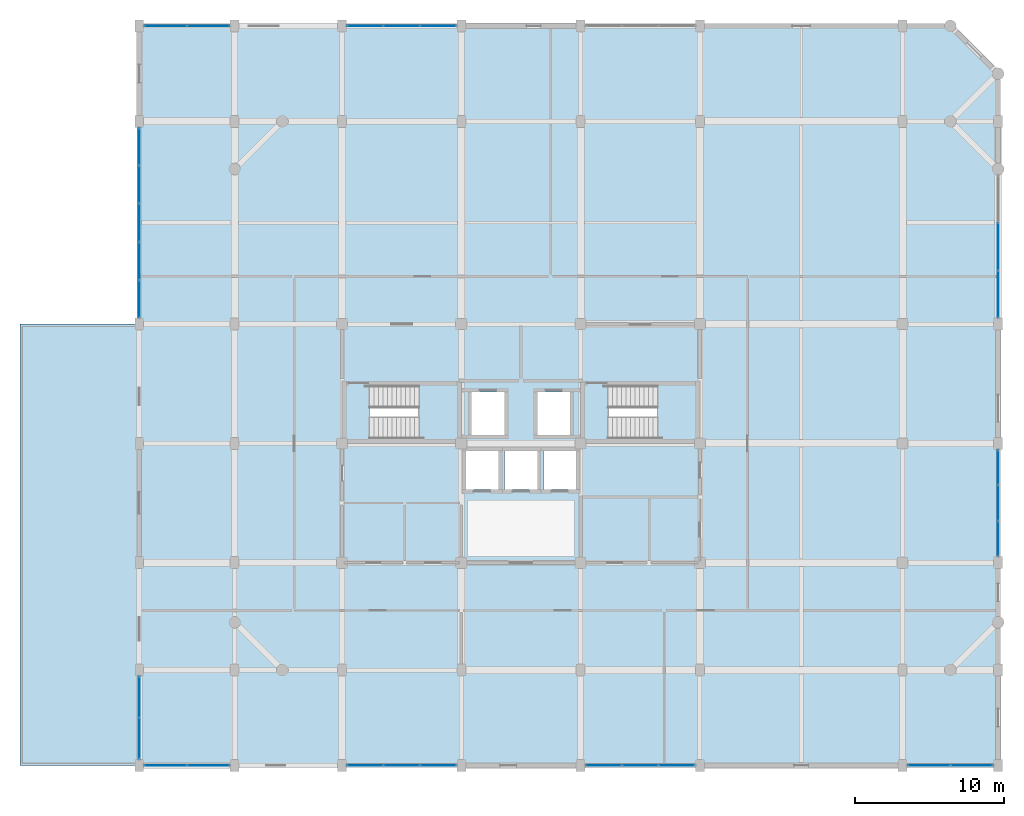
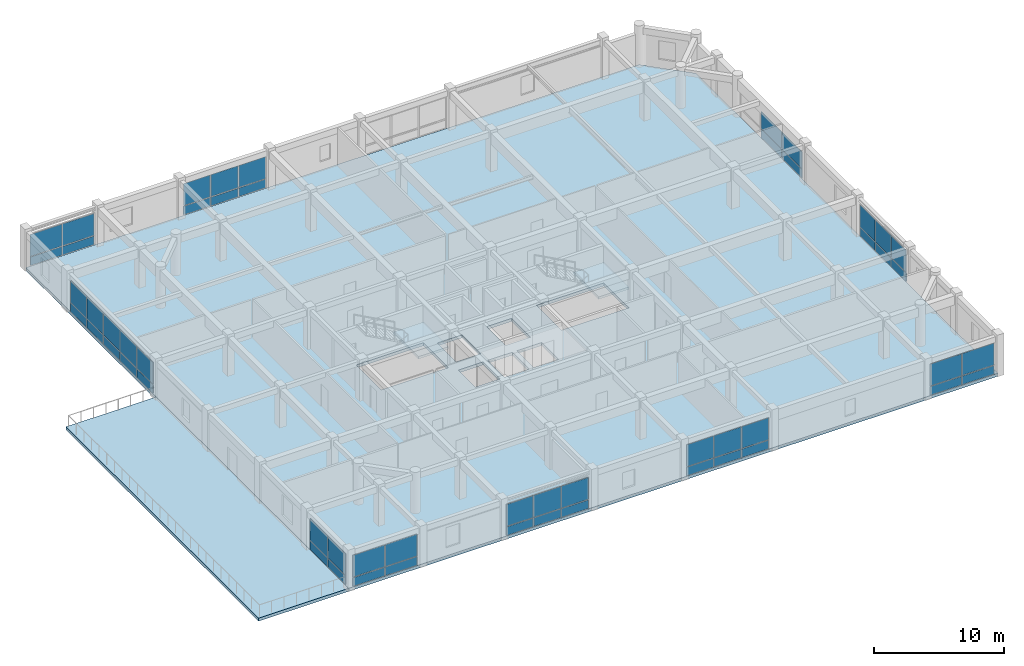
# One storey, part 9 of 14: 54 plates, 4 slabs, 12 elements without a shape of their own.
"""IFC4 building model written with IfcOpenShell, lengths in metres."""

from ifc_helpers import new_model, si_unit, direction, frame, origin, origin_2d, place, context, subcontext, project, spatial, polyline, rectangle, outline, extrude, material, layer, layer_set, type_object, element, aggregate, save


model = new_model("IFC4")

# Units and contexts
model_context = context("Model", 3, precision=1e-05, world=origin(), true_north=direction((0.0, 1.0)))
body_context = subcontext(model_context, "Body", "Model", "MODEL_VIEW")
ifc_project = project(units=[si_unit("LENGTHUNIT", "METRE"), si_unit("AREAUNIT", "SQUARE_METRE"), si_unit("VOLUMEUNIT", "CUBIC_METRE"), si_unit("PLANEANGLEUNIT", "RADIAN"), si_unit("MASSUNIT", "GRAM", prefix="KILO")], contexts=[model_context])

# Site, building, storey
site_placement = place(None, origin())
site = spatial("IfcSite", under=ifc_project, at=site_placement, CompositionType="ELEMENT")
building_placement = place(site_placement, origin())
building = spatial("IfcBuilding", under=site, at=building_placement, Name="Vellmiral Cinema and Media Centre", CompositionType="ELEMENT")
storey_placement = place(building_placement, frame((0.0, 0.0, 27.800048828125)))
storey = spatial("IfcBuildingStorey", under=building, at=storey_placement, Name="L06", CompositionType="ELEMENT", Elevation=27.800048828125)

# Curtain wall, plates
ifc_material_1 = material(Name="Thermally Broken Aluminium and Triple Glazing", Category="aluminium")
curtain_wall_type_1 = type_object("IfcCurtainWallType", Name="CW-TOWER-LOW-S", PredefinedType="USERDEFINED", material=ifc_material_1)
curtain_wall_1_placement = place(storey_placement, origin())
curtain_wall_1 = element("IfcCurtainWall", 1, at=curtain_wall_1_placement, inside=storey, type_object=curtain_wall_type_1, Name="Curtain Wall L06-B001", ObjectType="UNITISED CURTAIN WALL", PredefinedType="USERDEFINED")
ifc_material_2 = material(Name="Solar-Control Acoustic Triple Glazing", Category="glass")
ifc_layer_1 = layer(ifc_material_2, 0.0419921875, Name="Solar-Control Acoustic Triple Glazing")
ifc_layer_set_1 = layer_set([ifc_layer_1], Name="Solar-Control Acoustic Triple Glazing")
plate_type_1 = type_object("IfcPlateType", Name="CWP-SOLAR-42", PredefinedType="CURTAIN_PANEL", material=ifc_layer_set_1)
plate_1_placement = place(storey_placement, frame((112.166259765625, 65.60009765625, 0.932373046875), z_axis=(0.0, 0.0, 1.0), x_axis=(1.0, 0.0, 0.0)))
plate_1 = element("IfcPlate", 2, at=plate_1_placement, type_object=plate_type_1, Name="CW-06 panel 1.2", PredefinedType="CURTAIN_PANEL", context=body_context, shape_type="SweptSolid", body=[
    extrude(rectangle(XDim=2.802490234375, YDim=0.0419921875, at=origin_2d()), origin(), (0.0, 0.0, 1.0), 2.04248046875),
])
plate_2_placement = place(storey_placement, frame((115.03369140625, 65.60009765625, 0.932373046875), z_axis=(0.0, 0.0, 1.0), x_axis=(1.0, 0.0, 0.0)))
plate_2 = element("IfcPlate", 3, at=plate_2_placement, type_object=plate_type_1, Name="CW-06 panel 2.2", PredefinedType="CURTAIN_PANEL", context=body_context, shape_type="SweptSolid", body=[
    extrude(rectangle(XDim=2.802490234375, YDim=0.0419921875, at=origin_2d()), origin(), (0.0, 0.0, 1.0), 2.04248046875),
])

curtain_wall_2_placement = place(storey_placement, origin())
curtain_wall_2 = element("IfcCurtainWall", 4, at=curtain_wall_2_placement, inside=storey, type_object=curtain_wall_type_1, Name="Curtain Wall L06-B003", ObjectType="UNITISED CURTAIN WALL", PredefinedType="USERDEFINED")
plate_3_placement = place(storey_placement, frame((125.549560546875, 65.60009765625, 0.932373046875), z_axis=(0.0, 0.0, 1.0), x_axis=(1.0, 0.0, 0.0)))
plate_3 = element("IfcPlate", 5, at=plate_3_placement, type_object=plate_type_1, Name="CW-06 panel 1.2", PredefinedType="CURTAIN_PANEL", context=body_context, shape_type="SweptSolid", body=[
    extrude(rectangle(XDim=2.369140625, YDim=0.0419921875, at=origin_2d()), origin(), (0.0, 0.0, 1.0), 2.04248046875),
])
plate_4_placement = place(storey_placement, frame((128.0, 65.60009765625, 0.932373046875), z_axis=(0.0, 0.0, 1.0), x_axis=(1.0, 0.0, 0.0)))
plate_4 = element("IfcPlate", 6, at=plate_4_placement, type_object=plate_type_1, Name="CW-06 panel 2.2", PredefinedType="CURTAIN_PANEL", context=body_context, shape_type="SweptSolid", body=[
    extrude(rectangle(XDim=2.401611328125, YDim=0.0419921875, at=origin_2d()), origin(), (0.0, 0.0, 1.0), 2.04248046875),
])
plate_5_placement = place(storey_placement, frame((130.450439453125, 65.60009765625, 0.932373046875), z_axis=(0.0, 0.0, 1.0), x_axis=(1.0, 0.0, 0.0)))
plate_5 = element("IfcPlate", 7, at=plate_5_placement, type_object=plate_type_1, Name="CW-06 panel 3.2", PredefinedType="CURTAIN_PANEL", context=body_context, shape_type="SweptSolid", body=[
    extrude(rectangle(XDim=2.369140625, YDim=0.0419921875, at=origin_2d()), origin(), (0.0, 0.0, 1.0), 2.04248046875),
])

curtain_wall_3_placement = place(storey_placement, origin())
curtain_wall_3 = element("IfcCurtainWall", 8, at=curtain_wall_3_placement, inside=storey, type_object=curtain_wall_type_1, Name="Curtain Wall L06-B005", ObjectType="UNITISED CURTAIN WALL", PredefinedType="USERDEFINED")
plate_6_placement = place(storey_placement, frame((141.549560546875, 65.60009765625, 0.932373046875), z_axis=(0.0, 0.0, 1.0), x_axis=(1.0, 0.0, 0.0)))
plate_6 = element("IfcPlate", 9, at=plate_6_placement, type_object=plate_type_1, Name="CW-06 panel 1.2", PredefinedType="CURTAIN_PANEL", context=body_context, shape_type="SweptSolid", body=[
    extrude(rectangle(XDim=2.369140625, YDim=0.0419921875, at=origin_2d()), origin(), (0.0, 0.0, 1.0), 2.04248046875),
])
plate_7_placement = place(storey_placement, frame((144.0, 65.60009765625, 0.932373046875), z_axis=(0.0, 0.0, 1.0), x_axis=(1.0, 0.0, 0.0)))
plate_7 = element("IfcPlate", 10, at=plate_7_placement, type_object=plate_type_1, Name="CW-06 panel 2.2", PredefinedType="CURTAIN_PANEL", context=body_context, shape_type="SweptSolid", body=[
    extrude(rectangle(XDim=2.401611328125, YDim=0.0419921875, at=origin_2d()), origin(), (0.0, 0.0, 1.0), 2.04248046875),
])
plate_8_placement = place(storey_placement, frame((146.450439453125, 65.60009765625, 0.932373046875), z_axis=(0.0, 0.0, 1.0), x_axis=(1.0, 0.0, 0.0)))
plate_8 = element("IfcPlate", 11, at=plate_8_placement, type_object=plate_type_1, Name="CW-06 panel 3.2", PredefinedType="CURTAIN_PANEL", context=body_context, shape_type="SweptSolid", body=[
    extrude(rectangle(XDim=2.369140625, YDim=0.0419921875, at=origin_2d()), origin(), (0.0, 0.0, 1.0), 2.04248046875),
])

curtain_wall_4_placement = place(storey_placement, origin())
curtain_wall_4 = element("IfcCurtainWall", 12, at=curtain_wall_4_placement, inside=storey, type_object=curtain_wall_type_1, Name="Curtain Wall L06-B007", ObjectType="UNITISED CURTAIN WALL", PredefinedType="USERDEFINED")
plate_9_placement = place(storey_placement, frame((163.3662109375, 65.60009765625, 0.932373046875), z_axis=(0.0, 0.0, 1.0), x_axis=(1.0, 0.0, 0.0)))
plate_9 = element("IfcPlate", 13, at=plate_9_placement, type_object=plate_type_1, Name="CW-06 panel 1.2", PredefinedType="CURTAIN_PANEL", context=body_context, shape_type="SweptSolid", body=[
    extrude(rectangle(XDim=2.802490234375, YDim=0.0419921875, at=origin_2d()), origin(), (0.0, 0.0, 1.0), 2.04248046875),
])
plate_10_placement = place(storey_placement, frame((166.233642578125, 65.60009765625, 0.932373046875), z_axis=(0.0, 0.0, 1.0), x_axis=(1.0, 0.0, 0.0)))
plate_10 = element("IfcPlate", 14, at=plate_10_placement, type_object=plate_type_1, Name="CW-06 panel 2.2", PredefinedType="CURTAIN_PANEL", context=body_context, shape_type="SweptSolid", body=[
    extrude(rectangle(XDim=2.802490234375, YDim=0.0419921875, at=origin_2d()), origin(), (0.0, 0.0, 1.0), 2.04248046875),
])

curtain_wall_5_placement = place(storey_placement, origin())
curtain_wall_5 = element("IfcCurtainWall", 15, at=curtain_wall_5_placement, inside=storey, type_object=curtain_wall_type_1, Name="Curtain Wall L06-B011", ObjectType="UNITISED CURTAIN WALL", PredefinedType="USERDEFINED")
plate_11_placement = place(storey_placement, frame((168.0, 80.816162109375, 0.932373046875), z_axis=(0.0, 0.0, 1.0), x_axis=(0.0, 1.0, 0.0)))
plate_11 = element("IfcPlate", 16, at=plate_11_placement, type_object=plate_type_1, Name="CW-06 panel 1.2", PredefinedType="CURTAIN_PANEL", context=body_context, shape_type="SweptSolid", body=[
    extrude(rectangle(XDim=2.302490234375, YDim=0.0419921875, at=origin_2d()), origin(), (0.0, 0.0, 1.0), 2.04248046875),
])
plate_12_placement = place(storey_placement, frame((168.0, 83.199951171875, 0.932373046875), z_axis=(0.0, 0.0, 1.0), x_axis=(0.0, 1.0, 0.0)))
plate_12 = element("IfcPlate", 17, at=plate_12_placement, type_object=plate_type_1, Name="CW-06 panel 2.2", PredefinedType="CURTAIN_PANEL", context=body_context, shape_type="SweptSolid", body=[
    extrude(rectangle(XDim=2.3349609375, YDim=0.0419921875, at=origin_2d()), origin(), (0.0, 0.0, 1.0), 2.04248046875),
])
plate_13_placement = place(storey_placement, frame((168.0, 85.583740234375, 0.932373046875), z_axis=(0.0, 0.0, 1.0), x_axis=(0.0, 1.0, 0.0)))
plate_13 = element("IfcPlate", 18, at=plate_13_placement, type_object=plate_type_1, Name="CW-06 panel 3.2", PredefinedType="CURTAIN_PANEL", context=body_context, shape_type="SweptSolid", body=[
    extrude(rectangle(XDim=2.302490234375, YDim=0.0419921875, at=origin_2d()), origin(), (0.0, 0.0, 1.0), 2.04248046875),
])

curtain_wall_6_placement = place(storey_placement, origin())
curtain_wall_6 = element("IfcCurtainWall", 19, at=curtain_wall_6_placement, inside=storey, type_object=curtain_wall_type_1, Name="Curtain Wall L06-B013", ObjectType="UNITISED CURTAIN WALL", PredefinedType="USERDEFINED")
plate_14_placement = place(storey_placement, frame((168.0, 97.21630859375, 0.9326171875), z_axis=(0.0, 0.0, 1.0), x_axis=(0.0, 1.0, 0.0)))
plate_14 = element("IfcPlate", 20, at=plate_14_placement, type_object=plate_type_1, Name="CW-06 panel 1.2", PredefinedType="CURTAIN_PANEL", context=body_context, shape_type="SweptSolid", body=[
    extrude(rectangle(XDim=3.1025390625, YDim=0.0419921875, at=origin_2d()), origin(), (0.0, 0.0, 1.0), 1.577392578125),
])
plate_15_placement = place(storey_placement, frame((168.0, 100.39990234375, 0.9326171875), z_axis=(0.0, 0.0, 1.0), x_axis=(0.0, 1.0, 0.0)))
plate_15 = element("IfcPlate", 21, at=plate_15_placement, type_object=plate_type_1, Name="CW-06 panel 2.2", PredefinedType="CURTAIN_PANEL", context=body_context, shape_type="SweptSolid", body=[
    extrude(rectangle(XDim=3.135009765625, YDim=0.0419921875, at=origin_2d()), origin(), (0.0, 0.0, 1.0), 1.577392578125),
])

curtain_wall_7_placement = place(storey_placement, origin())
curtain_wall_7 = element("IfcCurtainWall", 22, at=curtain_wall_7_placement, inside=storey, type_object=curtain_wall_type_1, Name="Curtain Wall L06-B021", ObjectType="UNITISED CURTAIN WALL", PredefinedType="USERDEFINED")
plate_16_placement = place(storey_placement, frame((130.450439453125, 115.199951171875, 0.932373046875), z_axis=(0.0, 0.0, 1.0), x_axis=(-1.0, 0.0, 0.0)))
plate_16 = element("IfcPlate", 23, at=plate_16_placement, type_object=plate_type_1, Name="CW-06 panel 1.2", PredefinedType="CURTAIN_PANEL", context=body_context, shape_type="SweptSolid", body=[
    extrude(rectangle(XDim=2.369140625, YDim=0.0419921875, at=origin_2d()), origin(), (0.0, 0.0, 1.0), 2.04248046875),
])
plate_17_placement = place(storey_placement, frame((128.0, 115.199951171875, 0.932373046875), z_axis=(0.0, 0.0, 1.0), x_axis=(-1.0, 0.0, 0.0)))
plate_17 = element("IfcPlate", 24, at=plate_17_placement, type_object=plate_type_1, Name="CW-06 panel 2.2", PredefinedType="CURTAIN_PANEL", context=body_context, shape_type="SweptSolid", body=[
    extrude(rectangle(XDim=2.401611328125, YDim=0.0419921875, at=origin_2d()), origin(), (0.0, 0.0, 1.0), 2.04248046875),
])
plate_18_placement = place(storey_placement, frame((125.549560546875, 115.199951171875, 0.932373046875), z_axis=(0.0, 0.0, 1.0), x_axis=(-1.0, 0.0, 0.0)))
plate_18 = element("IfcPlate", 25, at=plate_18_placement, type_object=plate_type_1, Name="CW-06 panel 3.2", PredefinedType="CURTAIN_PANEL", context=body_context, shape_type="SweptSolid", body=[
    extrude(rectangle(XDim=2.369140625, YDim=0.0419921875, at=origin_2d()), origin(), (0.0, 0.0, 1.0), 2.04248046875),
])

curtain_wall_8_placement = place(storey_placement, origin())
curtain_wall_8 = element("IfcCurtainWall", 26, at=curtain_wall_8_placement, inside=storey, type_object=curtain_wall_type_1, Name="Curtain Wall L06-B023", ObjectType="UNITISED CURTAIN WALL", PredefinedType="USERDEFINED")
plate_19_placement = place(storey_placement, frame((115.03369140625, 115.199951171875, 0.932373046875), z_axis=(0.0, 0.0, 1.0), x_axis=(-1.0, 0.0, 0.0)))
plate_19 = element("IfcPlate", 27, at=plate_19_placement, type_object=plate_type_1, Name="CW-06 panel 1.2", PredefinedType="CURTAIN_PANEL", context=body_context, shape_type="SweptSolid", body=[
    extrude(rectangle(XDim=2.802490234375, YDim=0.0419921875, at=origin_2d()), origin(), (0.0, 0.0, 1.0), 2.04248046875),
])
plate_20_placement = place(storey_placement, frame((112.166259765625, 115.199951171875, 0.932373046875), z_axis=(0.0, 0.0, 1.0), x_axis=(-1.0, 0.0, 0.0)))
plate_20 = element("IfcPlate", 28, at=plate_20_placement, type_object=plate_type_1, Name="CW-06 panel 2.2", PredefinedType="CURTAIN_PANEL", context=body_context, shape_type="SweptSolid", body=[
    extrude(rectangle(XDim=2.802490234375, YDim=0.0419921875, at=origin_2d()), origin(), (0.0, 0.0, 1.0), 2.04248046875),
])

# Plate
ifc_material_3 = material(Name="Polychrome Trencadis Ceramic Spandrel Panel", Category="ceramic")
ifc_layer_2 = layer(ifc_material_3, 0.052001953125, Name="Polychrome Trencadis Ceramic Spandrel Panel")
ifc_layer_set_2 = layer_set([ifc_layer_2], Name="Polychrome Trencadis Ceramic Spandrel Panel")
plate_type_2 = type_object("IfcPlateType", Name="CWP-TRENC-52", PredefinedType="CURTAIN_PANEL", material=ifc_layer_set_2)
plate_21_placement = place(storey_placement, frame((112.166259765625, 65.60009765625, 0.06494140625), z_axis=(0.0, 0.0, 1.0), x_axis=(1.0, 0.0, 0.0)))
plate_21 = element("IfcPlate", 29, at=plate_21_placement, type_object=plate_type_2, Name="CW-06 panel 1.1", PredefinedType="CURTAIN_PANEL", context=body_context, shape_type="SweptSolid", body=[
    extrude(rectangle(XDim=2.802490234375, YDim=0.052001953125, at=origin_2d()), origin(), (0.0, 0.0, 1.0), 0.802490234375),
])

plate_22_placement = place(storey_placement, frame((115.03369140625, 65.60009765625, 0.06494140625), z_axis=(0.0, 0.0, 1.0), x_axis=(1.0, 0.0, 0.0)))
plate_22 = element("IfcPlate", 30, at=plate_22_placement, type_object=plate_type_2, Name="CW-06 panel 2.1", PredefinedType="CURTAIN_PANEL", context=body_context, shape_type="SweptSolid", body=[
    extrude(rectangle(XDim=2.802490234375, YDim=0.052001953125, at=origin_2d()), origin(), (0.0, 0.0, 1.0), 0.802490234375),
])

aggregate(curtain_wall_1, [plate_21, plate_1, plate_22, plate_2])

plate_23_placement = place(storey_placement, frame((125.549560546875, 65.60009765625, 0.06494140625), z_axis=(0.0, 0.0, 1.0), x_axis=(1.0, 0.0, 0.0)))
plate_23 = element("IfcPlate", 31, at=plate_23_placement, type_object=plate_type_2, Name="CW-06 panel 1.1", PredefinedType="CURTAIN_PANEL", context=body_context, shape_type="SweptSolid", body=[
    extrude(rectangle(XDim=2.369140625, YDim=0.052001953125, at=origin_2d()), origin(), (0.0, 0.0, 1.0), 0.802490234375),
])

plate_24_placement = place(storey_placement, frame((128.0, 65.60009765625, 0.06494140625), z_axis=(0.0, 0.0, 1.0), x_axis=(1.0, 0.0, 0.0)))
plate_24 = element("IfcPlate", 32, at=plate_24_placement, type_object=plate_type_2, Name="CW-06 panel 2.1", PredefinedType="CURTAIN_PANEL", context=body_context, shape_type="SweptSolid", body=[
    extrude(rectangle(XDim=2.401611328125, YDim=0.052001953125, at=origin_2d()), origin(), (0.0, 0.0, 1.0), 0.802490234375),
])

plate_25_placement = place(storey_placement, frame((130.450439453125, 65.60009765625, 0.06494140625), z_axis=(0.0, 0.0, 1.0), x_axis=(1.0, 0.0, 0.0)))
plate_25 = element("IfcPlate", 33, at=plate_25_placement, type_object=plate_type_2, Name="CW-06 panel 3.1", PredefinedType="CURTAIN_PANEL", context=body_context, shape_type="SweptSolid", body=[
    extrude(rectangle(XDim=2.369140625, YDim=0.052001953125, at=origin_2d()), origin(), (0.0, 0.0, 1.0), 0.802490234375),
])

aggregate(curtain_wall_2, [plate_23, plate_3, plate_24, plate_4, plate_25, plate_5])

plate_26_placement = place(storey_placement, frame((141.549560546875, 65.60009765625, 0.06494140625), z_axis=(0.0, 0.0, 1.0), x_axis=(1.0, 0.0, 0.0)))
plate_26 = element("IfcPlate", 34, at=plate_26_placement, type_object=plate_type_2, Name="CW-06 panel 1.1", PredefinedType="CURTAIN_PANEL", context=body_context, shape_type="SweptSolid", body=[
    extrude(rectangle(XDim=2.369140625, YDim=0.052001953125, at=origin_2d()), origin(), (0.0, 0.0, 1.0), 0.802490234375),
])

plate_27_placement = place(storey_placement, frame((144.0, 65.60009765625, 0.06494140625), z_axis=(0.0, 0.0, 1.0), x_axis=(1.0, 0.0, 0.0)))
plate_27 = element("IfcPlate", 35, at=plate_27_placement, type_object=plate_type_2, Name="CW-06 panel 2.1", PredefinedType="CURTAIN_PANEL", context=body_context, shape_type="SweptSolid", body=[
    extrude(rectangle(XDim=2.401611328125, YDim=0.052001953125, at=origin_2d()), origin(), (0.0, 0.0, 1.0), 0.802490234375),
])

plate_28_placement = place(storey_placement, frame((146.450439453125, 65.60009765625, 0.06494140625), z_axis=(0.0, 0.0, 1.0), x_axis=(1.0, 0.0, 0.0)))
plate_28 = element("IfcPlate", 36, at=plate_28_placement, type_object=plate_type_2, Name="CW-06 panel 3.1", PredefinedType="CURTAIN_PANEL", context=body_context, shape_type="SweptSolid", body=[
    extrude(rectangle(XDim=2.369140625, YDim=0.052001953125, at=origin_2d()), origin(), (0.0, 0.0, 1.0), 0.802490234375),
])

aggregate(curtain_wall_3, [plate_26, plate_6, plate_27, plate_7, plate_28, plate_8])

plate_29_placement = place(storey_placement, frame((163.3662109375, 65.60009765625, 0.06494140625), z_axis=(0.0, 0.0, 1.0), x_axis=(1.0, 0.0, 0.0)))
plate_29 = element("IfcPlate", 37, at=plate_29_placement, type_object=plate_type_2, Name="CW-06 panel 1.1", PredefinedType="CURTAIN_PANEL", context=body_context, shape_type="SweptSolid", body=[
    extrude(rectangle(XDim=2.802490234375, YDim=0.052001953125, at=origin_2d()), origin(), (0.0, 0.0, 1.0), 0.802490234375),
])

plate_30_placement = place(storey_placement, frame((166.233642578125, 65.60009765625, 0.06494140625), z_axis=(0.0, 0.0, 1.0), x_axis=(1.0, 0.0, 0.0)))
plate_30 = element("IfcPlate", 38, at=plate_30_placement, type_object=plate_type_2, Name="CW-06 panel 2.1", PredefinedType="CURTAIN_PANEL", context=body_context, shape_type="SweptSolid", body=[
    extrude(rectangle(XDim=2.802490234375, YDim=0.052001953125, at=origin_2d()), origin(), (0.0, 0.0, 1.0), 0.802490234375),
])

aggregate(curtain_wall_4, [plate_29, plate_9, plate_30, plate_10])

plate_31_placement = place(storey_placement, frame((168.0, 80.816162109375, 0.06494140625), z_axis=(0.0, 0.0, 1.0), x_axis=(0.0, 1.0, 0.0)))
plate_31 = element("IfcPlate", 39, at=plate_31_placement, type_object=plate_type_2, Name="CW-06 panel 1.1", PredefinedType="CURTAIN_PANEL", context=body_context, shape_type="SweptSolid", body=[
    extrude(rectangle(XDim=2.302490234375, YDim=0.052001953125, at=origin_2d()), origin(), (0.0, 0.0, 1.0), 0.802490234375),
])

plate_32_placement = place(storey_placement, frame((168.0, 83.199951171875, 0.06494140625), z_axis=(0.0, 0.0, 1.0), x_axis=(0.0, 1.0, 0.0)))
plate_32 = element("IfcPlate", 40, at=plate_32_placement, type_object=plate_type_2, Name="CW-06 panel 2.1", PredefinedType="CURTAIN_PANEL", context=body_context, shape_type="SweptSolid", body=[
    extrude(rectangle(XDim=2.3349609375, YDim=0.052001953125, at=origin_2d()), origin(), (0.0, 0.0, 1.0), 0.802490234375),
])

plate_33_placement = place(storey_placement, frame((168.0, 85.583740234375, 0.06494140625), z_axis=(0.0, 0.0, 1.0), x_axis=(0.0, 1.0, 0.0)))
plate_33 = element("IfcPlate", 41, at=plate_33_placement, type_object=plate_type_2, Name="CW-06 panel 3.1", PredefinedType="CURTAIN_PANEL", context=body_context, shape_type="SweptSolid", body=[
    extrude(rectangle(XDim=2.302490234375, YDim=0.052001953125, at=origin_2d()), origin(), (0.0, 0.0, 1.0), 0.802490234375),
])

aggregate(curtain_wall_5, [plate_31, plate_11, plate_32, plate_12, plate_33, plate_13])

plate_34_placement = place(storey_placement, frame((168.0, 97.21630859375, 0.06494140625), z_axis=(0.0, 0.0, 1.0), x_axis=(0.0, 1.0, 0.0)))
plate_34 = element("IfcPlate", 42, at=plate_34_placement, type_object=plate_type_2, Name="CW-06 panel 1.1", PredefinedType="CURTAIN_PANEL", context=body_context, shape_type="SweptSolid", body=[
    extrude(rectangle(XDim=3.1025390625, YDim=0.052001953125, at=origin_2d()), origin(), (0.0, 0.0, 1.0), 0.802490234375),
])

plate_35_placement = place(storey_placement, frame((168.0, 100.39990234375, 0.06494140625), z_axis=(0.0, 0.0, 1.0), x_axis=(0.0, 1.0, 0.0)))
plate_35 = element("IfcPlate", 43, at=plate_35_placement, type_object=plate_type_2, Name="CW-06 panel 2.1", PredefinedType="CURTAIN_PANEL", context=body_context, shape_type="SweptSolid", body=[
    extrude(rectangle(XDim=3.135009765625, YDim=0.052001953125, at=origin_2d()), origin(), (0.0, 0.0, 1.0), 0.802490234375),
])

aggregate(curtain_wall_6, [plate_34, plate_14, plate_35, plate_15])

plate_36_placement = place(storey_placement, frame((130.450439453125, 115.199951171875, 0.06494140625), z_axis=(0.0, 0.0, 1.0), x_axis=(-1.0, 0.0, 0.0)))
plate_36 = element("IfcPlate", 44, at=plate_36_placement, type_object=plate_type_2, Name="CW-06 panel 1.1", PredefinedType="CURTAIN_PANEL", context=body_context, shape_type="SweptSolid", body=[
    extrude(rectangle(XDim=2.369140625, YDim=0.052001953125, at=origin_2d()), origin(), (0.0, 0.0, 1.0), 0.802490234375),
])

plate_37_placement = place(storey_placement, frame((128.0, 115.199951171875, 0.06494140625), z_axis=(0.0, 0.0, 1.0), x_axis=(-1.0, 0.0, 0.0)))
plate_37 = element("IfcPlate", 45, at=plate_37_placement, type_object=plate_type_2, Name="CW-06 panel 2.1", PredefinedType="CURTAIN_PANEL", context=body_context, shape_type="SweptSolid", body=[
    extrude(rectangle(XDim=2.401611328125, YDim=0.052001953125, at=origin_2d()), origin(), (0.0, 0.0, 1.0), 0.802490234375),
])

plate_38_placement = place(storey_placement, frame((125.549560546875, 115.199951171875, 0.06494140625), z_axis=(0.0, 0.0, 1.0), x_axis=(-1.0, 0.0, 0.0)))
plate_38 = element("IfcPlate", 46, at=plate_38_placement, type_object=plate_type_2, Name="CW-06 panel 3.1", PredefinedType="CURTAIN_PANEL", context=body_context, shape_type="SweptSolid", body=[
    extrude(rectangle(XDim=2.369140625, YDim=0.052001953125, at=origin_2d()), origin(), (0.0, 0.0, 1.0), 0.802490234375),
])

aggregate(curtain_wall_7, [plate_36, plate_16, plate_37, plate_17, plate_38, plate_18])

plate_39_placement = place(storey_placement, frame((115.03369140625, 115.199951171875, 0.06494140625), z_axis=(0.0, 0.0, 1.0), x_axis=(-1.0, 0.0, 0.0)))
plate_39 = element("IfcPlate", 47, at=plate_39_placement, type_object=plate_type_2, Name="CW-06 panel 1.1", PredefinedType="CURTAIN_PANEL", context=body_context, shape_type="SweptSolid", body=[
    extrude(rectangle(XDim=2.802490234375, YDim=0.052001953125, at=origin_2d()), origin(), (0.0, 0.0, 1.0), 0.802490234375),
])

plate_40_placement = place(storey_placement, frame((112.166259765625, 115.199951171875, 0.06494140625), z_axis=(0.0, 0.0, 1.0), x_axis=(-1.0, 0.0, 0.0)))
plate_40 = element("IfcPlate", 48, at=plate_40_placement, type_object=plate_type_2, Name="CW-06 panel 2.1", PredefinedType="CURTAIN_PANEL", context=body_context, shape_type="SweptSolid", body=[
    extrude(rectangle(XDim=2.802490234375, YDim=0.052001953125, at=origin_2d()), origin(), (0.0, 0.0, 1.0), 0.802490234375),
])

aggregate(curtain_wall_8, [plate_39, plate_19, plate_40, plate_20])

# Curtain wall, plates
ifc_material_4 = material(Name="Thermally Broken Aluminium and Triple Glazing", Category="aluminium")
curtain_wall_type_2 = type_object("IfcCurtainWallType", Name="CW-TOWER-LOW-N", PredefinedType="USERDEFINED", material=ifc_material_4)
curtain_wall_9_placement = place(storey_placement, origin())
curtain_wall_9 = element("IfcCurtainWall", 49, at=curtain_wall_9_placement, inside=storey, type_object=curtain_wall_type_2, Name="Curtain Wall L06-B025", ObjectType="UNITISED CURTAIN WALL", PredefinedType="USERDEFINED")
plate_41_placement = place(storey_placement, frame((110.39990234375, 107.103759765625, 0.06494140625), z_axis=(0.0, 0.0, 1.0), x_axis=(0.0, -1.0, 0.0)))
plate_41 = element("IfcPlate", 50, at=plate_41_placement, type_object=plate_type_2, Name="CW-05 panel 1.1", PredefinedType="CURTAIN_PANEL", context=body_context, shape_type="SweptSolid", body=[
    extrude(rectangle(XDim=2.46240234375, YDim=0.052001953125, at=origin_2d()), origin(), (0.0, 0.0, 1.0), 0.802490234375),
])
plate_42_placement = place(storey_placement, frame((110.39990234375, 104.56005859375, 0.06494140625), z_axis=(0.0, 0.0, 1.0), x_axis=(0.0, -1.0, 0.0)))
plate_42 = element("IfcPlate", 51, at=plate_42_placement, type_object=plate_type_2, Name="CW-05 panel 2.1", PredefinedType="CURTAIN_PANEL", context=body_context, shape_type="SweptSolid", body=[
    extrude(rectangle(XDim=2.4951171875, YDim=0.052001953125, at=origin_2d()), origin(), (0.0, 0.0, 1.0), 0.802490234375),
])
plate_43_placement = place(storey_placement, frame((110.39990234375, 102.0, 0.06494140625), z_axis=(0.0, 0.0, 1.0), x_axis=(0.0, -1.0, 0.0)))
plate_43 = element("IfcPlate", 52, at=plate_43_placement, type_object=plate_type_2, Name="CW-05 panel 3.1", PredefinedType="CURTAIN_PANEL", context=body_context, shape_type="SweptSolid", body=[
    extrude(rectangle(XDim=2.4951171875, YDim=0.052001953125, at=origin_2d()), origin(), (0.0, 0.0, 1.0), 0.802490234375),
])
plate_44_placement = place(storey_placement, frame((110.39990234375, 99.43994140625, 0.06494140625), z_axis=(0.0, 0.0, 1.0), x_axis=(0.0, -1.0, 0.0)))
plate_44 = element("IfcPlate", 53, at=plate_44_placement, type_object=plate_type_2, Name="CW-05 panel 4.1", PredefinedType="CURTAIN_PANEL", context=body_context, shape_type="SweptSolid", body=[
    extrude(rectangle(XDim=2.4951171875, YDim=0.052001953125, at=origin_2d()), origin(), (0.0, 0.0, 1.0), 0.802490234375),
])
plate_45_placement = place(storey_placement, frame((110.39990234375, 96.896240234375, 0.06494140625), z_axis=(0.0, 0.0, 1.0), x_axis=(0.0, -1.0, 0.0)))
plate_45 = element("IfcPlate", 54, at=plate_45_placement, type_object=plate_type_2, Name="CW-05 panel 5.1", PredefinedType="CURTAIN_PANEL", context=body_context, shape_type="SweptSolid", body=[
    extrude(rectangle(XDim=2.46240234375, YDim=0.052001953125, at=origin_2d()), origin(), (0.0, 0.0, 1.0), 0.802490234375),
])

curtain_wall_10_placement = place(storey_placement, origin())
curtain_wall_10 = element("IfcCurtainWall", 55, at=curtain_wall_10_placement, inside=storey, type_object=curtain_wall_type_2, Name="Curtain Wall L06-B029", ObjectType="UNITISED CURTAIN WALL", PredefinedType="USERDEFINED")
plate_46_placement = place(storey_placement, frame((110.39990234375, 70.183837890625, 0.06494140625), z_axis=(0.0, 0.0, 1.0), x_axis=(0.0, -1.0, 0.0)))
plate_46 = element("IfcPlate", 56, at=plate_46_placement, type_object=plate_type_2, Name="CW-05 panel 1.1", PredefinedType="CURTAIN_PANEL", context=body_context, shape_type="SweptSolid", body=[
    extrude(rectangle(XDim=2.702392578125, YDim=0.052001953125, at=origin_2d()), origin(), (0.0, 0.0, 1.0), 0.802490234375),
])
plate_47_placement = place(storey_placement, frame((110.39990234375, 67.416259765625, 0.06494140625), z_axis=(0.0, 0.0, 1.0), x_axis=(0.0, -1.0, 0.0)))
plate_47 = element("IfcPlate", 57, at=plate_47_placement, type_object=plate_type_2, Name="CW-05 panel 2.1", PredefinedType="CURTAIN_PANEL", context=body_context, shape_type="SweptSolid", body=[
    extrude(rectangle(XDim=2.702392578125, YDim=0.052001953125, at=origin_2d()), origin(), (0.0, 0.0, 1.0), 0.802490234375),
])

# Plate
ifc_material_5 = material(Name="Triple Low-E Vision Glazing", Category="glass")
ifc_layer_3 = layer(ifc_material_5, 0.0380859375, Name="Triple Low-E Vision Glazing")
ifc_layer_set_3 = layer_set([ifc_layer_3], Name="Triple Low-E Vision Glazing")
plate_type_3 = type_object("IfcPlateType", Name="CWP-VISION-38", PredefinedType="CURTAIN_PANEL", material=ifc_layer_set_3)
plate_48_placement = place(storey_placement, frame((110.39990234375, 107.103759765625, 0.9326171875), z_axis=(0.0, 0.0, 1.0), x_axis=(0.0, -1.0, 0.0)))
plate_48 = element("IfcPlate", 58, at=plate_48_placement, type_object=plate_type_3, Name="CW-05 panel 1.2", PredefinedType="CURTAIN_PANEL", context=body_context, shape_type="SweptSolid", body=[
    extrude(rectangle(XDim=2.46240234375, YDim=0.0380859375, at=origin_2d()), origin(), (0.0, 0.0, 1.0), 2.027587890625),
])

plate_49_placement = place(storey_placement, frame((110.39990234375, 104.56005859375, 0.9326171875), z_axis=(0.0, 0.0, 1.0), x_axis=(0.0, -1.0, 0.0)))
plate_49 = element("IfcPlate", 59, at=plate_49_placement, type_object=plate_type_3, Name="CW-05 panel 2.2", PredefinedType="CURTAIN_PANEL", context=body_context, shape_type="SweptSolid", body=[
    extrude(rectangle(XDim=2.4951171875, YDim=0.0380859375, at=origin_2d()), origin(), (0.0, 0.0, 1.0), 2.027587890625),
])

plate_50_placement = place(storey_placement, frame((110.39990234375, 102.0, 0.9326171875), z_axis=(0.0, 0.0, 1.0), x_axis=(0.0, -1.0, 0.0)))
plate_50 = element("IfcPlate", 60, at=plate_50_placement, type_object=plate_type_3, Name="CW-05 panel 3.2", PredefinedType="CURTAIN_PANEL", context=body_context, shape_type="SweptSolid", body=[
    extrude(rectangle(XDim=2.4951171875, YDim=0.0380859375, at=origin_2d()), origin(), (0.0, 0.0, 1.0), 2.027587890625),
])

plate_51_placement = place(storey_placement, frame((110.39990234375, 99.43994140625, 0.9326171875), z_axis=(0.0, 0.0, 1.0), x_axis=(0.0, -1.0, 0.0)))
plate_51 = element("IfcPlate", 61, at=plate_51_placement, type_object=plate_type_3, Name="CW-05 panel 4.2", PredefinedType="CURTAIN_PANEL", context=body_context, shape_type="SweptSolid", body=[
    extrude(rectangle(XDim=2.4951171875, YDim=0.0380859375, at=origin_2d()), origin(), (0.0, 0.0, 1.0), 2.027587890625),
])

plate_52_placement = place(storey_placement, frame((110.39990234375, 96.896240234375, 0.9326171875), z_axis=(0.0, 0.0, 1.0), x_axis=(0.0, -1.0, 0.0)))
plate_52 = element("IfcPlate", 62, at=plate_52_placement, type_object=plate_type_3, Name="CW-05 panel 5.2", PredefinedType="CURTAIN_PANEL", context=body_context, shape_type="SweptSolid", body=[
    extrude(rectangle(XDim=2.46240234375, YDim=0.0380859375, at=origin_2d()), origin(), (0.0, 0.0, 1.0), 2.027587890625),
])

aggregate(curtain_wall_9, [plate_41, plate_48, plate_42, plate_49, plate_43, plate_50, plate_44, plate_51, plate_45, plate_52])

plate_53_placement = place(storey_placement, frame((110.39990234375, 70.183837890625, 0.9326171875), z_axis=(0.0, 0.0, 1.0), x_axis=(0.0, -1.0, 0.0)))
plate_53 = element("IfcPlate", 63, at=plate_53_placement, type_object=plate_type_3, Name="CW-05 panel 1.2", PredefinedType="CURTAIN_PANEL", context=body_context, shape_type="SweptSolid", body=[
    extrude(rectangle(XDim=2.702392578125, YDim=0.0380859375, at=origin_2d()), origin(), (0.0, 0.0, 1.0), 2.027587890625),
])

plate_54_placement = place(storey_placement, frame((110.39990234375, 67.416259765625, 0.9326171875), z_axis=(0.0, 0.0, 1.0), x_axis=(0.0, -1.0, 0.0)))
plate_54 = element("IfcPlate", 64, at=plate_54_placement, type_object=plate_type_3, Name="CW-05 panel 2.2", PredefinedType="CURTAIN_PANEL", context=body_context, shape_type="SweptSolid", body=[
    extrude(rectangle(XDim=2.702392578125, YDim=0.0380859375, at=origin_2d()), origin(), (0.0, 0.0, 1.0), 2.027587890625),
])

aggregate(curtain_wall_10, [plate_46, plate_53, plate_47, plate_54])

# Slab
ifc_material_6 = material(Name="Concrete C40/50", Category="concrete")
ifc_layer_4 = layer(ifc_material_6, 0.280029296875, Name="Concrete C40/50")
ifc_layer_set_4 = layer_set([ifc_layer_4], Name="Concrete C40/50")
slab_type_1 = type_object("IfcSlabType", Name="SLB-FLR-280", PredefinedType="FLOOR", material=ifc_layer_set_4)
slab_1_placement = place(storey_placement, frame((0.0, 0.0, -0.280029296875)))
element("IfcSlab", 65, at=slab_1_placement, inside=storey, type_object=slab_type_1, Name="L06 Structural Slab", PredefinedType="FLOOR", context=body_context, shape_type="SweptSolid", body=[
    extrude(outline(polyline([(110.39990234375, 65.60009765625), (168.0, 65.60009765625), (168.0, 112.0), (164.800048828125, 115.199951171875), (110.39990234375, 115.199951171875), (110.39990234375, 65.60009765625)]), holes=[polyline([(125.85009765625, 87.3798828125), (131.820068359375, 87.3798828125), (131.820068359375, 91.219970703125), (125.85009765625, 91.219970703125), (125.85009765625, 87.3798828125)]), polyline([(141.85009765625, 87.3798828125), (147.820068359375, 87.3798828125), (147.820068359375, 91.219970703125), (141.85009765625, 91.219970703125), (141.85009765625, 87.3798828125)]), polyline([(132.699951171875, 87.75), (134.89990234375, 87.75), (134.89990234375, 90.64990234375), (132.699951171875, 90.64990234375), (132.699951171875, 87.75)]), polyline([(137.10009765625, 87.75), (139.300048828125, 87.75), (139.300048828125, 90.64990234375), (137.10009765625, 90.64990234375), (137.10009765625, 87.75)]), polyline([(132.300048828125, 84.10009765625), (134.5, 84.10009765625), (134.5, 86.699951171875), (132.300048828125, 86.699951171875), (132.300048828125, 84.10009765625)]), polyline([(134.89990234375, 84.10009765625), (137.10009765625, 84.10009765625), (137.10009765625, 86.699951171875), (134.89990234375, 86.699951171875), (134.89990234375, 84.10009765625)]), polyline([(137.5, 84.10009765625), (139.699951171875, 84.10009765625), (139.699951171875, 86.699951171875), (137.5, 86.699951171875), (137.5, 84.10009765625)])]), origin(), (0.0, 0.0, 1.0), 0.280029296875),
])

# Stair, slab
ifc_material_7 = material(Name="Concrete C40/50", Category="concrete")
stair_type = type_object("IfcStairType", Name="ST-2RET-390", PredefinedType="HALF_TURN_STAIR", material=ifc_material_7)
stair_1_placement = place(storey_placement, origin())
stair_1 = element("IfcStair", 66, at=stair_1_placement, inside=storey, type_object=stair_type, Name="Protected Escape Stair ST-T1 (L06)", PredefinedType="HALF_TURN_STAIR")
ifc_material_8 = material(Name="Concrete C40/50", Category="concrete")
ifc_layer_5 = layer(ifc_material_8, 0.219970703125, Name="Concrete C40/50")
ifc_layer_set_5 = layer_set([ifc_layer_5], Name="Concrete C40/50")
slab_type_2 = type_object("IfcSlabType", Name="SLB-LAND-220", PredefinedType="LANDING", material=ifc_layer_set_5)
slab_2_placement = place(storey_placement, frame((0.0, 0.0, 1.72998046875)))
slab_2 = element("IfcSlab", 67, at=slab_2_placement, type_object=slab_type_2, Name="ST-T1 landing 1", PredefinedType="LANDING", context=body_context, shape_type="SweptSolid", body=[
    extrude(outline(polyline([(129.14990234375, 87.3798828125), (131.820068359375, 87.3798828125), (131.820068359375, 91.219970703125), (129.14990234375, 91.219970703125), (129.14990234375, 87.3798828125)])), origin(), (0.0, 0.0, 1.0), 0.219970703125),
])
aggregate(stair_1, [slab_2])

stair_2_placement = place(storey_placement, origin())
stair_2 = element("IfcStair", 68, at=stair_2_placement, inside=storey, type_object=stair_type, Name="Protected Escape Stair ST-T2 (L06)", PredefinedType="HALF_TURN_STAIR")
slab_3_placement = place(storey_placement, frame((0.0, 0.0, 1.72998046875)))
slab_3 = element("IfcSlab", 69, at=slab_3_placement, type_object=slab_type_2, Name="ST-T2 landing 1", PredefinedType="LANDING", context=body_context, shape_type="SweptSolid", body=[
    extrude(outline(polyline([(145.14990234375, 87.3798828125), (147.820068359375, 87.3798828125), (147.820068359375, 91.219970703125), (145.14990234375, 91.219970703125), (145.14990234375, 87.3798828125)])), origin(), (0.0, 0.0, 1.0), 0.219970703125),
])
aggregate(stair_2, [slab_3])

# Slab
ifc_material_9 = material(Name="Concrete C40/50", Category="concrete")
ifc_layer_6 = layer(ifc_material_9, 0.2900390625, Name="Concrete C40/50")
ifc_layer_set_6 = layer_set([ifc_layer_6], Name="Concrete C40/50")
slab_type_3 = type_object("IfcSlabType", Name="SLB-TERR-290", PredefinedType="FLOOR", material=ifc_layer_set_6)
slab_4_placement = place(storey_placement, frame((0.0, 0.0, -0.2900390625)))
element("IfcSlab", 70, at=slab_4_placement, inside=storey, type_object=slab_type_3, Name="Tower West Setback Terrace", PredefinedType="FLOOR", context=body_context, shape_type="SweptSolid", body=[
    extrude(outline(polyline([(102.39990234375, 65.60009765625), (110.39990234375, 65.60009765625), (110.39990234375, 95.199951171875), (102.39990234375, 95.199951171875), (102.39990234375, 65.60009765625)])), origin(), (0.0, 0.0, 1.0), 0.2900390625),
])

save(model, "model.ifc")
